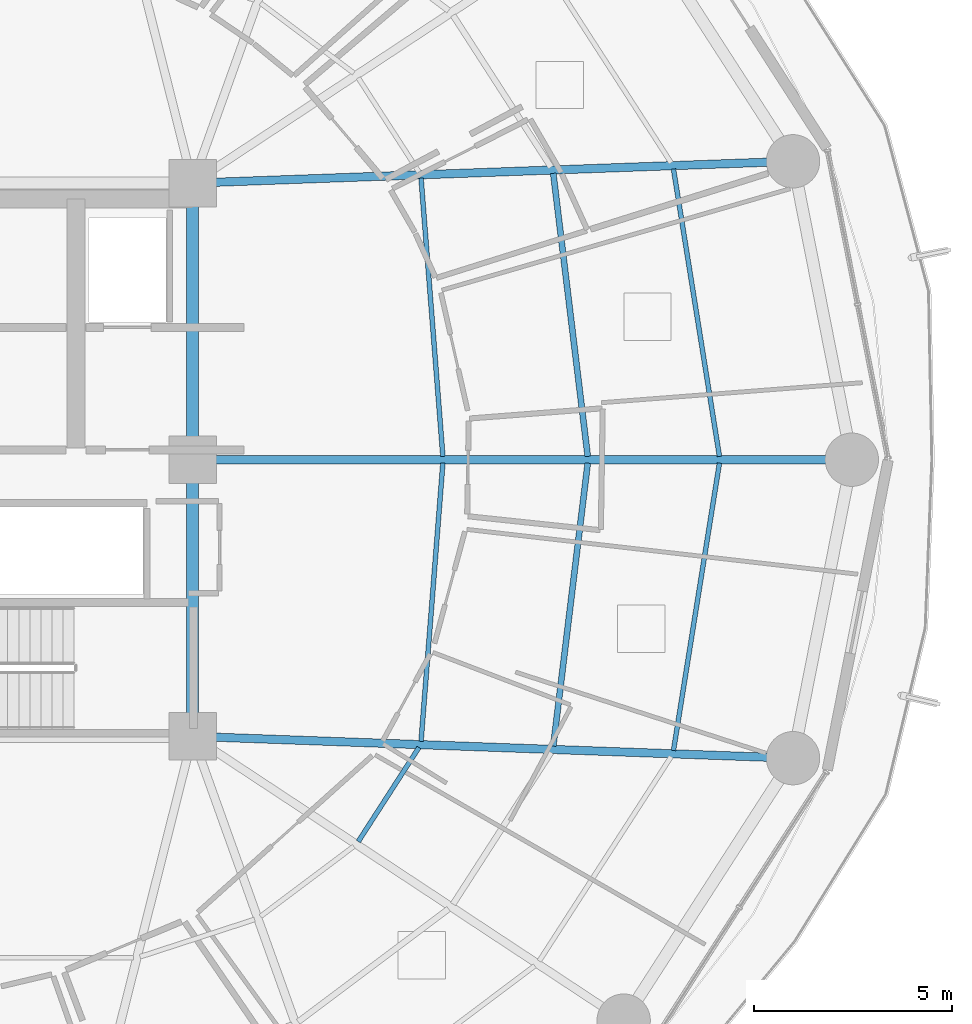
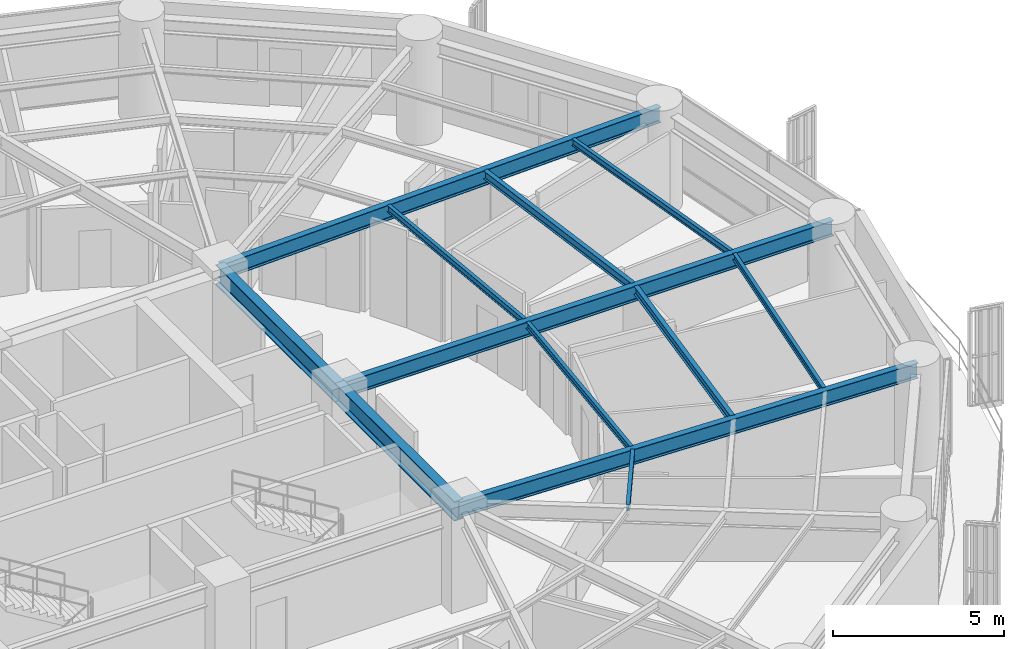
# One storey, part 15 of 37: 12 beams.
"""IFC4 building model written with IfcOpenShell, lengths in metres."""

from ifc_helpers import new_model, si_unit, direction, frame, origin, origin_2d, place, context, subcontext, project, spatial, i_section, extrude, material, material_profile, profile_set, type_object, element, save


model = new_model("IFC4")

# Units and contexts
model_context = context("Model", 3, precision=1e-05, world=origin(), true_north=direction((0.0, 1.0)))
body_context = subcontext(model_context, "Body", "Model", "MODEL_VIEW")
ifc_project = project(units=[si_unit("LENGTHUNIT", "METRE"), si_unit("AREAUNIT", "SQUARE_METRE"), si_unit("VOLUMEUNIT", "CUBIC_METRE"), si_unit("PLANEANGLEUNIT", "RADIAN"), si_unit("MASSUNIT", "GRAM", prefix="KILO")], contexts=[model_context])

# Site, building, storey
site_placement = place(None, origin())
site = spatial("IfcSite", under=ifc_project, at=site_placement, CompositionType="ELEMENT")
building_placement = place(site_placement, origin())
building = spatial("IfcBuilding", under=site, at=building_placement, Name="Kelanora Arch Commons", CompositionType="ELEMENT")
storey_placement = place(building_placement, frame((0.0, 0.0, 113.85009765625)))
storey = spatial("IfcBuildingStorey", under=building, at=storey_placement, Name="L29", CompositionType="ELEMENT", Elevation=113.85009765625)

# Beams
ifc_material = material(Name="Steel S355", Category="steel")
ifc_material_profile_1 = material_profile(ifc_material, i_section(OverallWidth=0.300048828125, OverallDepth=0.699951171875, WebThickness=0.01708984375, FlangeThickness=0.031982421875, FilletRadius=0.027099609375, at=origin_2d()), Name="HEB700")
ifc_profile_set_1 = profile_set([ifc_material_profile_1], Name="Steel S355")
beam_type_1 = type_object("IfcBeamType", Name="BM-CORE-HDR", PredefinedType="BEAM", material=ifc_profile_set_1)
for number, where, z_axis, x_axis, name in (
    (1, (82.0, 51.0, 3.139892578125), (0.0, 1.0, 0.0), (-1.0, 0.0, 0.0), "Core Header Beam 03 L29"),
    (2, (82.0, 58.0, 3.139892578125), (0.0, 1.0, 0.0), (-1.0, 0.0, 0.0), "Core Header Beam 04 L29"),
):
    element("IfcBeam", number, at=place(storey_placement, frame(where, z_axis=z_axis, x_axis=x_axis)), inside=storey, type_object=beam_type_1, Name=name, PredefinedType="BEAM", context=body_context, shape_type="SweptSolid", body=[
        extrude(i_section(OverallWidth=0.300048828125, OverallDepth=0.699951171875, WebThickness=0.01708984375, FlangeThickness=0.031982421875, FilletRadius=0.027099609375, at=origin_2d()), origin(), (0.0, 0.0, 1.0), 7.0),
    ])
ifc_material_profile_2 = material_profile(ifc_material, i_section(OverallWidth=0.14990234375, OverallDepth=0.300048828125, WebThickness=0.007080078125, FlangeThickness=0.0107421875, FilletRadius=0.014892578125, at=origin_2d()), Name="IPE300")
ifc_profile_set_2 = profile_set([ifc_material_profile_2], Name="Steel S355")
beam_type_2 = type_object("IfcBeamType", Name="BM-JST-01", PredefinedType="JOIST", material=ifc_profile_set_2)
for number, where, z_axis, x_axis, name in (
    (3, (91.997802734375, 58.08447265625, 3.33984375), (-0.120935645266, 0.992660349618, 0.0), (-0.992660349618, -0.120935645266, 0.0), "Secondary Chord Joist BJB-00 L29"),
    (4, (91.125244140625, 50.75341796875, 3.33984375), (0.120935645266, 0.992660349618, 0.0), (-0.992660349618, 0.120935645266, 0.0), "Secondary Chord Joist BJB-34 L29"),
):
    element("IfcBeam", number, at=place(storey_placement, frame(where, z_axis=z_axis, x_axis=x_axis)), inside=storey, type_object=beam_type_2, Name=name, PredefinedType="JOIST", context=body_context, shape_type="SweptSolid", body=[
        extrude(i_section(OverallWidth=0.14990234375, OverallDepth=0.300048828125, WebThickness=0.007080078125, FlangeThickness=0.0107421875, FilletRadius=0.014892578125, at=origin_2d()), origin(), (0.0, 0.0, 1.0), 7.215087890625),
    ])
ifc_material_profile_3 = material_profile(ifc_material, i_section(OverallWidth=0.1201171875, OverallDepth=0.239990234375, WebThickness=0.006103515625, FlangeThickness=0.009765625, FilletRadius=0.014892578125, at=origin_2d()), Name="IPE240")
ifc_profile_set_3 = profile_set([ifc_material_profile_3], Name="Steel S355")
beam_type_3 = type_object("IfcBeamType", Name="BM-JST-02", PredefinedType="JOIST", material=ifc_profile_set_3)
beam_1_placement = place(storey_placement, frame((88.331787109375, 58.084716796875, 3.369873046875), z_axis=(-0.078200677502, 0.996937637989, 0.0), x_axis=(-0.996937637989, -0.078200677502, 0.0)))
element("IfcBeam", 5, at=beam_1_placement, inside=storey, type_object=beam_type_3, Name="Secondary Chord Joist BJA-00 L29", PredefinedType="JOIST", context=body_context, shape_type="SweptSolid", body=[
    extrude(i_section(OverallWidth=0.1201171875, OverallDepth=0.239990234375, WebThickness=0.006103515625, FlangeThickness=0.009765625, FilletRadius=0.014892578125, at=origin_2d()), origin(), (0.0, 0.0, 1.0), 7.06201171875),
])
beam_2_placement = place(storey_placement, frame((95.33056640625, 58.083984375, 3.369873046875), z_axis=(-0.157999549894, 0.987439184068, 0.0), x_axis=(-0.987439184068, -0.157999549894, 0.0)))
element("IfcBeam", 6, at=beam_2_placement, inside=storey, type_object=beam_type_3, Name="Secondary Chord Joist BJC-00 L29", PredefinedType="JOIST", context=body_context, shape_type="SweptSolid", body=[
    extrude(i_section(OverallWidth=0.1201171875, OverallDepth=0.239990234375, WebThickness=0.006103515625, FlangeThickness=0.009765625, FilletRadius=0.014892578125, at=origin_2d()), origin(), (0.0, 0.0, 1.0), 7.365966796875),
])
beam_3_placement = place(storey_placement, frame((86.1904296875, 48.338134765625, 3.369873046875), z_axis=(0.542211255502, 0.840242199849, 0.0), x_axis=(-0.840242199849, 0.542211255502, 0.0)))
element("IfcBeam", 7, at=beam_3_placement, inside=storey, type_object=beam_type_3, Name="Secondary Chord Joist BJA-32 L29", PredefinedType="JOIST", context=body_context, shape_type="SweptSolid", body=[
    extrude(i_section(OverallWidth=0.1201171875, OverallDepth=0.239990234375, WebThickness=0.006103515625, FlangeThickness=0.009765625, FilletRadius=0.014892578125, at=origin_2d()), origin(), (0.0, 0.0, 1.0), 2.83349609375),
])
beam_4_placement = place(storey_placement, frame((87.779541015625, 50.875, 3.369873046875), z_axis=(0.078200677502, 0.996937637989, 0.0), x_axis=(-0.996937637989, 0.078200677502, 0.0)))
element("IfcBeam", 8, at=beam_4_placement, inside=storey, type_object=beam_type_3, Name="Secondary Chord Joist BJA-34 L29", PredefinedType="JOIST", context=body_context, shape_type="SweptSolid", body=[
    extrude(i_section(OverallWidth=0.1201171875, OverallDepth=0.239990234375, WebThickness=0.006103515625, FlangeThickness=0.009765625, FilletRadius=0.014892578125, at=origin_2d()), origin(), (0.0, 0.0, 1.0), 7.06201171875),
])
beam_5_placement = place(storey_placement, frame((94.166748046875, 50.642578125, 3.369873046875), z_axis=(0.157999549894, 0.987439184068, 0.0), x_axis=(-0.987439184068, 0.157999549894, 0.0)))
element("IfcBeam", 9, at=beam_5_placement, inside=storey, type_object=beam_type_3, Name="Secondary Chord Joist BJC-34 L29", PredefinedType="JOIST", context=body_context, shape_type="SweptSolid", body=[
    extrude(i_section(OverallWidth=0.1201171875, OverallDepth=0.239990234375, WebThickness=0.006103515625, FlangeThickness=0.009765625, FilletRadius=0.014892578125, at=origin_2d()), origin(), (0.0, 0.0, 1.0), 7.365966796875),
])
ifc_material_profile_4 = material_profile(ifc_material, i_section(OverallWidth=0.2099609375, OverallDepth=0.550048828125, WebThickness=0.010986328125, FlangeThickness=0.01708984375, FilletRadius=0.02392578125, at=origin_2d()), Name="IPE550")
ifc_profile_set_4 = profile_set([ifc_material_profile_4], Name="Steel S355")
beam_type_4 = type_object("IfcBeamType", Name="BM-RAD-Z2", PredefinedType="BEAM", material=ifc_profile_set_4)
beam_6_placement = place(storey_placement, frame((82.0, 58.0, 3.21484375), z_axis=(1.0, 0.0, 0.0), x_axis=(0.0, 1.0, 0.0)))
element("IfcBeam", 10, at=beam_6_placement, inside=storey, type_object=beam_type_4, Name="Radial Floor Girder BR-00 L29", PredefinedType="BEAM", context=body_context, shape_type="SweptSolid", body=[
    extrude(i_section(OverallWidth=0.2099609375, OverallDepth=0.550048828125, WebThickness=0.010986328125, FlangeThickness=0.01708984375, FilletRadius=0.02392578125, at=origin_2d()), origin(), (0.0, 0.0, 1.0), 16.679931640625),
])
for number, where, z_axis, x_axis, name in (
    (11, (82.0, 65.0, 3.21484375), (0.999341087625, 0.036295875581, 0.0), (-0.036295875581, 0.999341087625, 0.0), "Radial Floor Girder BR-02 L29"),
    (12, (82.0, 51.0, 3.21484375), (0.999341087625, -0.036295875581, 0.0), (0.036295875581, 0.999341087625, 0.0), "Radial Floor Girder BR-34 L29"),
):
    element("IfcBeam", number, at=place(storey_placement, frame(where, z_axis=z_axis, x_axis=x_axis)), inside=storey, type_object=beam_type_4, Name=name, PredefinedType="BEAM", context=body_context, shape_type="SweptSolid", body=[
        extrude(i_section(OverallWidth=0.2099609375, OverallDepth=0.550048828125, WebThickness=0.010986328125, FlangeThickness=0.01708984375, FilletRadius=0.02392578125, at=origin_2d()), origin(), (0.0, 0.0, 1.0), 15.20166015625),
    ])

save(model, "model.ifc")
